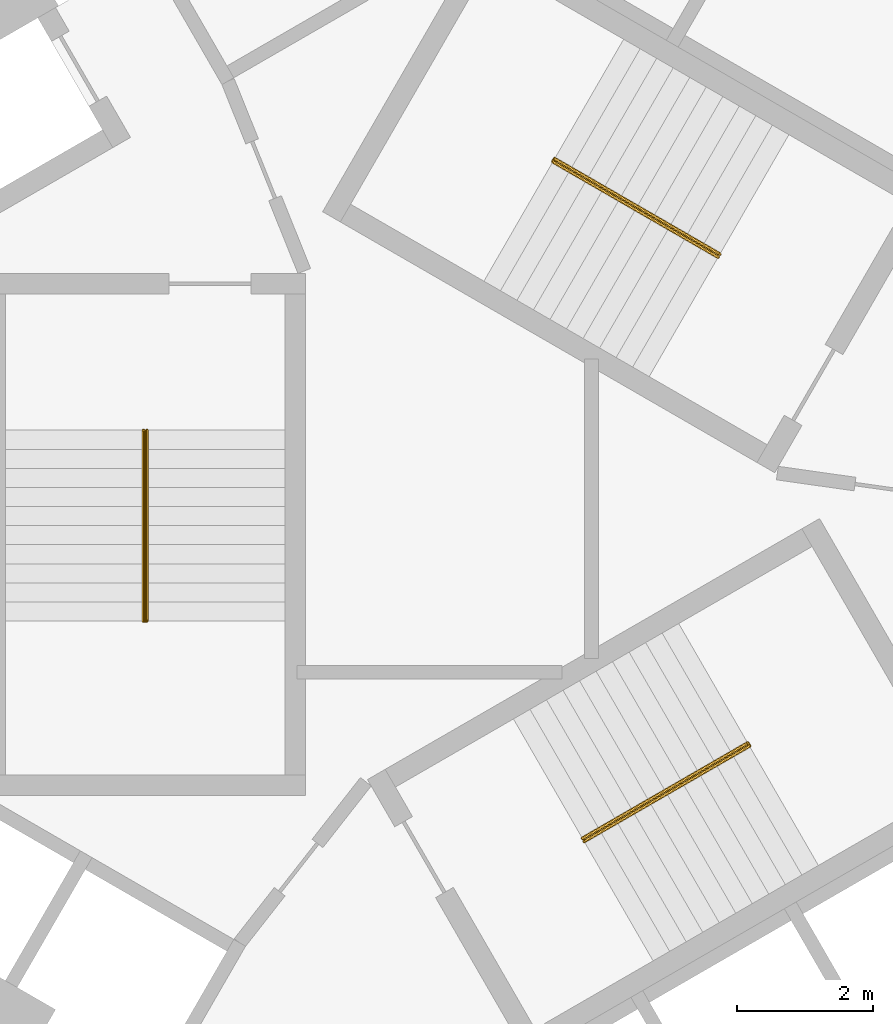
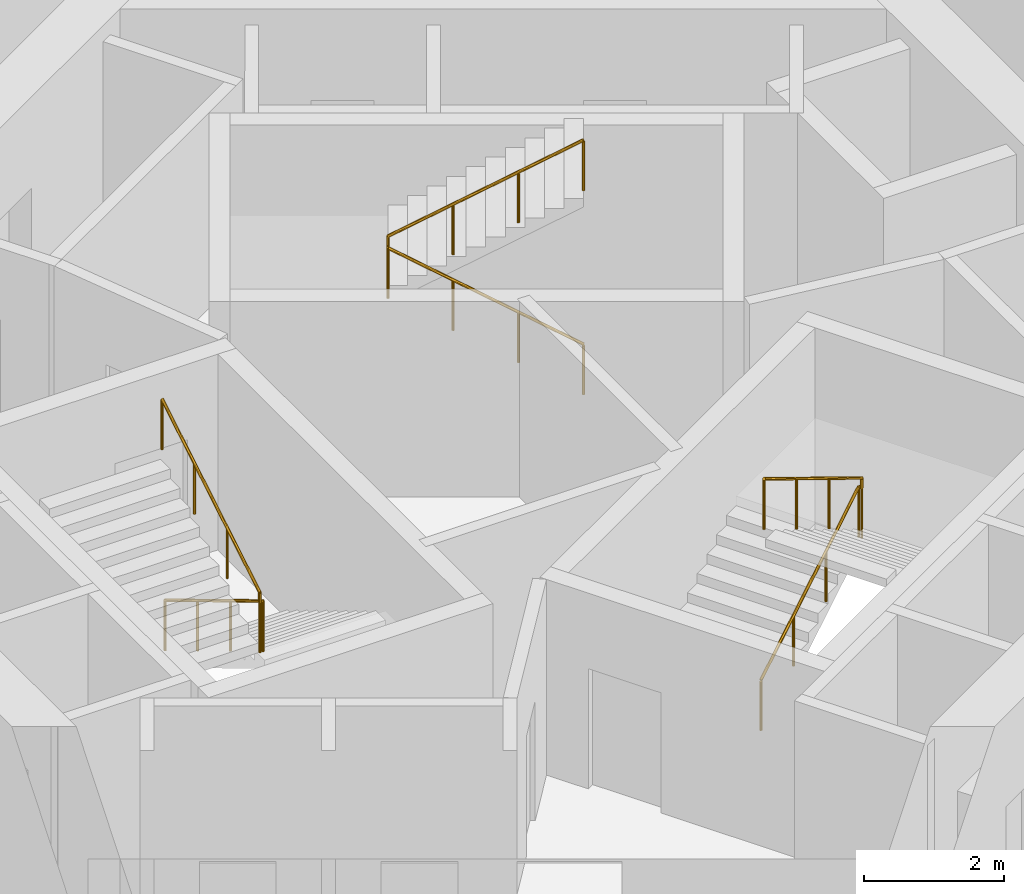
# One storey, part 11 of 11: 3 railings.
"""IFC4 building model written with IfcOpenShell, lengths in metres."""

from ifc_helpers import new_model, si_unit, direction, frame, origin, origin_2d, place, context, subcontext, project, spatial, circle, extrude, material, type_object, element, save


model = new_model("IFC4")

# Units and contexts
model_context = context("Model", 3, precision=1e-05, world=origin(), true_north=direction((0.0, 1.0)))
body_context = subcontext(model_context, "Body", "Model", "MODEL_VIEW")
ifc_project = project(units=[si_unit("LENGTHUNIT", "METRE"), si_unit("AREAUNIT", "SQUARE_METRE"), si_unit("VOLUMEUNIT", "CUBIC_METRE"), si_unit("PLANEANGLEUNIT", "RADIAN"), si_unit("MASSUNIT", "GRAM", prefix="KILO")], contexts=[model_context])

# Site, building, storey
site_placement = place(None, origin())
site = spatial("IfcSite", under=ifc_project, at=site_placement, CompositionType="ELEMENT")
building_placement = place(site_placement, origin())
building = spatial("IfcBuilding", under=site, at=building_placement, Name="Vanh Sen Convention Tower", CompositionType="ELEMENT")
storey_placement = place(building_placement, frame((0.0, 0.0, 221.699951171875)))
storey = spatial("IfcBuildingStorey", under=building, at=storey_placement, Name="L54", CompositionType="ELEMENT", Elevation=221.699951171875)

# Railings
ifc_material = material(Name="Stainless steel handrail", Category="steel")
railing_type = type_object("IfcRailingType", Name="Stair handrail 900", PredefinedType="HANDRAIL", material=ifc_material)
railing_1_placement = place(storey_placement, frame((3.45849609375, 3.690185546875, 0.168212890625)))
element("IfcRailing", 1, at=railing_1_placement, inside=storey, type_object=railing_type, Name="Stair handrail ST1 L54", PredefinedType="HANDRAIL", context=body_context, shape_type="SweptSolid", body=[
    extrude(circle(Radius=0.02392578125, at=origin_2d()), frame((0.0, 0.0, 0.8759765625), z_axis=(-0.742390482028, 0.42860119049, 0.514934356695), x_axis=(-0.49998411664, -0.866034573852, 0.0)), (0.0, 0.0, 1.0), 3.26611328125),
    extrude(circle(Radius=0.02392578125, at=origin_2d()), frame((-2.4248046875, 1.39990234375, 2.5576171875), z_axis=(0.497188445666, 0.867642581652, 0.0), x_axis=(-0.867642581652, 0.497188445666, 0.0)), (0.0, 0.0, 1.0), 0.050048828125),
    extrude(circle(Radius=0.02392578125, at=origin_2d()), frame((-2.39990234375, 1.443359375, 2.5576171875), z_axis=(0.0, 0.0, 1.0), x_axis=(1.0, 0.0, 0.0)), (0.0, 0.0, 1.0), 0.168212890625),
    extrude(circle(Radius=0.02392578125, at=origin_2d()), frame((-2.39990234375, 1.443359375, 2.72607421875), z_axis=(0.742395268701, -0.428678701772, 0.514862928999), x_axis=(0.500049511043, 0.865996816683, 0.0)), (0.0, 0.0, 1.0), 3.26611328125),
    extrude(circle(Radius=0.02099609375, at=origin_2d()), origin(), (0.0, 0.0, 1.0), 0.851806640625),
    extrude(circle(Radius=0.02099609375, at=origin_2d()), frame((-0.808349609375, 0.466552734375, 0.560546875)), (0.0, 0.0, 1.0), 0.851806640625),
    extrude(circle(Radius=0.02099609375, at=origin_2d()), frame((-1.616455078125, 0.933349609375, 1.121337890625)), (0.0, 0.0, 1.0), 0.851806640625),
    extrude(circle(Radius=0.02099609375, at=origin_2d()), frame((-2.4248046875, 1.39990234375, 1.681884765625)), (0.0, 0.0, 1.0), 0.851806640625),
    extrude(circle(Radius=0.02099609375, at=origin_2d()), frame((-2.39990234375, 1.443359375, 1.681884765625)), (0.0, 0.0, 1.0), 0.851806640625),
    extrude(circle(Radius=0.02099609375, at=origin_2d()), frame((-2.39990234375, 1.443359375, 1.85009765625)), (0.0, 0.0, 1.0), 0.851806640625),
    extrude(circle(Radius=0.02099609375, at=origin_2d()), frame((-1.591552734375, 0.9765625, 2.41064453125)), (0.0, 0.0, 1.0), 0.851806640625),
    extrude(circle(Radius=0.02099609375, at=origin_2d()), frame((-0.783447265625, 0.510009765625, 2.97119140625)), (0.0, 0.0, 1.0), 0.851806640625),
    extrude(circle(Radius=0.02099609375, at=origin_2d()), frame((0.02490234375, 0.043212890625, 3.53173828125)), (0.0, 0.0, 1.0), 0.851806640625),
])
railing_2_placement = place(storey_placement, frame((-4.925048828125, 1.14990234375, 0.168212890625)))
element("IfcRailing", 2, at=railing_2_placement, inside=storey, type_object=railing_type, Name="Stair handrail ST2 L54", PredefinedType="HANDRAIL", context=body_context, shape_type="SweptSolid", body=[
    extrude(circle(Radius=0.02392578125, at=origin_2d()), frame((0.0, 0.0, 0.8759765625), z_axis=(0.0, -0.857222391501, 0.514946377315), x_axis=(1.0, 0.0, 0.0)), (0.0, 0.0, 1.0), 3.26611328125),
    extrude(circle(Radius=0.02392578125, at=origin_2d()), frame((0.0, -2.7998046875, 2.5576171875), z_axis=(-1.0, 0.0, 0.0), x_axis=(0.0, -1.0, 0.0)), (0.0, 0.0, 1.0), 0.050048828125),
    extrude(circle(Radius=0.02392578125, at=origin_2d()), frame((-0.050048828125, -2.7998046875, 2.5576171875), z_axis=(0.0, 0.0, 1.0), x_axis=(1.0, 0.0, 0.0)), (0.0, 0.0, 1.0), 0.168212890625),
    extrude(circle(Radius=0.02392578125, at=origin_2d()), frame((-0.050048828125, -2.7998046875, 2.72607421875), z_axis=(0.0, 0.857255387014, 0.514891446264), x_axis=(-1.0, 0.0, 0.0)), (0.0, 0.0, 1.0), 3.26611328125),
    extrude(circle(Radius=0.02099609375, at=origin_2d()), origin(), (0.0, 0.0, 1.0), 0.851806640625),
    extrude(circle(Radius=0.02099609375, at=origin_2d()), frame((0.0, -0.933349609375, 0.560546875)), (0.0, 0.0, 1.0), 0.851806640625),
    extrude(circle(Radius=0.02099609375, at=origin_2d()), frame((0.0, -1.866455078125, 1.121337890625)), (0.0, 0.0, 1.0), 0.851806640625),
    extrude(circle(Radius=0.02099609375, at=origin_2d()), frame((0.0, -2.7998046875, 1.681884765625)), (0.0, 0.0, 1.0), 0.851806640625),
    extrude(circle(Radius=0.02099609375, at=origin_2d()), frame((-0.050048828125, -2.7998046875, 1.681884765625)), (0.0, 0.0, 1.0), 0.851806640625),
    extrude(circle(Radius=0.02099609375, at=origin_2d()), frame((-0.050048828125, -2.7998046875, 1.85009765625)), (0.0, 0.0, 1.0), 0.851806640625),
    extrude(circle(Radius=0.02099609375, at=origin_2d()), frame((-0.050048828125, -1.866455078125, 2.41064453125)), (0.0, 0.0, 1.0), 0.851806640625),
    extrude(circle(Radius=0.02099609375, at=origin_2d()), frame((-0.050048828125, -0.933349609375, 2.97119140625)), (0.0, 0.0, 1.0), 0.851806640625),
    extrude(circle(Radius=0.02099609375, at=origin_2d()), frame((-0.050048828125, 0.0, 3.53173828125)), (0.0, 0.0, 1.0), 0.851806640625),
])
railing_3_placement = place(storey_placement, frame((1.466552734375, -4.840087890625, 0.168212890625)))
element("IfcRailing", 3, at=railing_3_placement, inside=storey, type_object=railing_type, Name="Stair handrail ST3 L54", PredefinedType="HANDRAIL", context=body_context, shape_type="SweptSolid", body=[
    extrude(circle(Radius=0.02392578125, at=origin_2d()), frame((0.0, 0.0, 0.8759765625), z_axis=(0.742390482028, 0.42860119049, 0.514934356695), x_axis=(-0.49998411664, 0.866034573852, 0.0)), (0.0, 0.0, 1.0), 3.26611328125),
    extrude(circle(Radius=0.02392578125, at=origin_2d()), frame((2.4248046875, 1.39990234375, 2.5576171875), z_axis=(0.502959906984, -0.86430974307, 0.0), x_axis=(0.86430974307, 0.502959906984, 0.0)), (0.0, 0.0, 1.0), 0.050048828125),
    extrude(circle(Radius=0.02392578125, at=origin_2d()), frame((2.449951171875, 1.356689453125, 2.5576171875), z_axis=(0.0, 0.0, 1.0), x_axis=(1.0, 0.0, 0.0)), (0.0, 0.0, 1.0), 0.168212890625),
    extrude(circle(Radius=0.02392578125, at=origin_2d()), frame((2.449951171875, 1.356689453125, 2.72607421875), z_axis=(-0.742395268701, -0.428678701772, 0.514862928999), x_axis=(0.500049511043, -0.865996816683, 0.0)), (0.0, 0.0, 1.0), 3.26611328125),
    extrude(circle(Radius=0.02099609375, at=origin_2d()), origin(), (0.0, 0.0, 1.0), 0.851806640625),
    extrude(circle(Radius=0.02099609375, at=origin_2d()), frame((0.808349609375, 0.466552734375, 0.560546875)), (0.0, 0.0, 1.0), 0.851806640625),
    extrude(circle(Radius=0.02099609375, at=origin_2d()), frame((1.616455078125, 0.933349609375, 1.121337890625)), (0.0, 0.0, 1.0), 0.851806640625),
    extrude(circle(Radius=0.02099609375, at=origin_2d()), frame((2.4248046875, 1.39990234375, 1.681884765625)), (0.0, 0.0, 1.0), 0.851806640625),
    extrude(circle(Radius=0.02099609375, at=origin_2d()), frame((2.449951171875, 1.356689453125, 1.681884765625)), (0.0, 0.0, 1.0), 0.851806640625),
    extrude(circle(Radius=0.02099609375, at=origin_2d()), frame((2.449951171875, 1.356689453125, 1.85009765625)), (0.0, 0.0, 1.0), 0.851806640625),
    extrude(circle(Radius=0.02099609375, at=origin_2d()), frame((1.6416015625, 0.889892578125, 2.41064453125)), (0.0, 0.0, 1.0), 0.851806640625),
    extrude(circle(Radius=0.02099609375, at=origin_2d()), frame((0.83349609375, 0.42333984375, 2.97119140625)), (0.0, 0.0, 1.0), 0.851806640625),
    extrude(circle(Radius=0.02099609375, at=origin_2d()), frame((0.025146484375, -0.04345703125, 3.53173828125)), (0.0, 0.0, 1.0), 0.851806640625),
])

save(model, "model.ifc")
